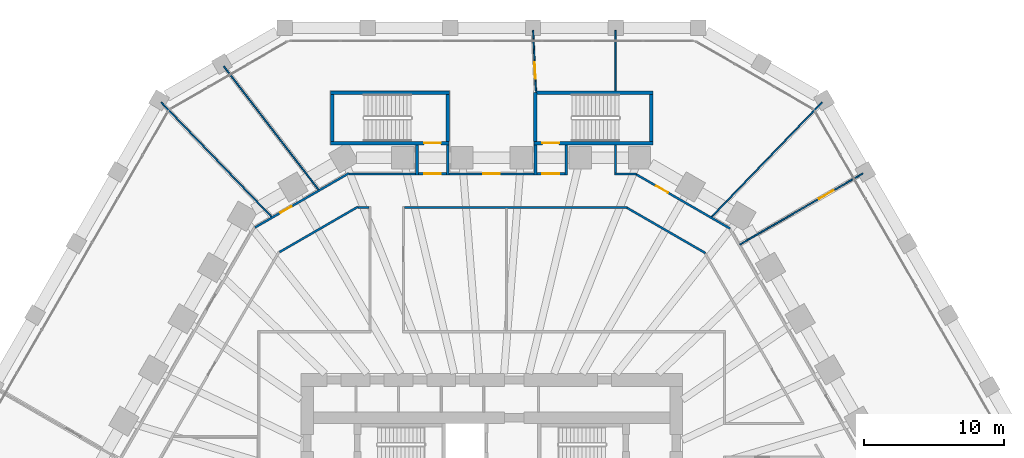
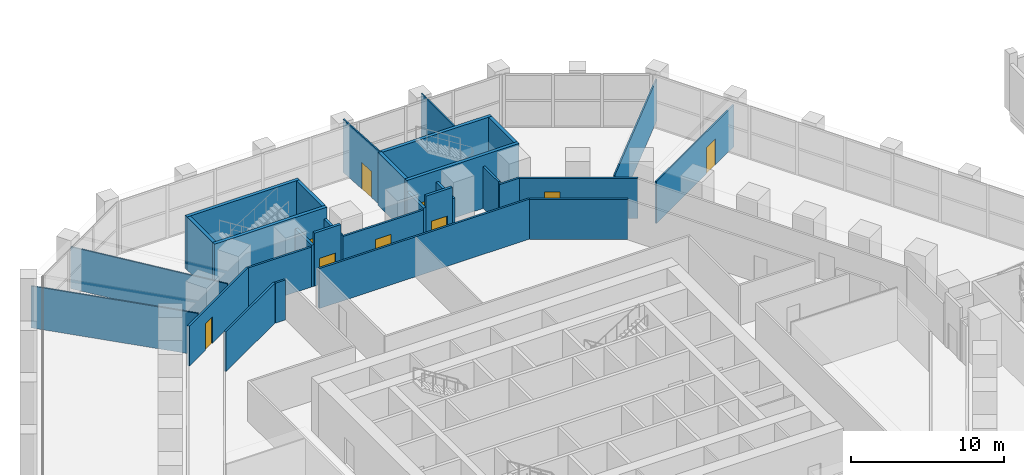
# One storey, part 26 of 38: 30 walls, 9 doors, 9 openings.
"""IFC4 building model written with IfcOpenShell, lengths in metres."""

import ifcopenshell
import ifcopenshell.guid

model = None  # the IFC model being written
_history = None  # IfcOwnerHistory: only IFC2X3 demands one
_inside = {}  # id of a spatial element -> (the spatial element, [elements in it])
_under = {}  # id of a project, library or spatial element -> (it, [spatial elements below it])
_declared = {}  # id of a project -> (the project, [libraries it declares])
_typed = {}  # id of a type object -> (the type object, [elements of that type])
_made_of = {}  # id of a material, layer set ... -> (it, [elements and type objects made of it])


def new_model(schema):
    """Start an empty IFC model of exactly this schema.

    Asked for "IFC4X3", IfcOpenShell would pick the latest addendum, in which some entities
    have other attributes; the version numbers below select the first issue.
    IFC2X3 requires an IfcOwnerHistory on every rooted entity: one is made here for all.
    """
    global model, _history
    if schema == "IFC4X3":
        model = ifcopenshell.file(schema_version=(4, 3, 0, 0))
    else:
        model = ifcopenshell.file(schema=schema)
    _inside.clear()
    _under.clear()
    _declared.clear()
    _typed.clear()
    _made_of.clear()
    _history = None
    if model.schema == "IFC2X3":
        org = make("IfcOrganization", Name="unknown")
        user = make(
            "IfcPersonAndOrganization",
            ThePerson=make("IfcPerson", FamilyName="unknown"),
            TheOrganization=org,
        )
        app = make(
            "IfcApplication",
            ApplicationDeveloper=org,
            Version="unknown",
            ApplicationFullName="unknown",
            ApplicationIdentifier="unknown",
        )
        _history = make(
            "IfcOwnerHistory",
            OwningUser=user,
            OwningApplication=app,
            ChangeAction="ADDED",
            CreationDate=0,
        )
    return model


def make(cls, **values):
    """One entity of the class cls with the attributes given. An attribute that is None is left unset."""
    return model.create_entity(
        cls, **{name: value for name, value in values.items() if value is not None}
    )


def rooted(cls, **values):
    """An entity with a GlobalId (a new one), such as an element, a storey or a relation."""
    return make(cls, GlobalId=ifcopenshell.guid.new(), OwnerHistory=_history, **values)


def si_unit(unit_type, name, prefix=None):
    """IfcSIUnit, for example si_unit("LENGTHUNIT", "METRE", prefix="MILLI")."""
    return make("IfcSIUnit", UnitType=unit_type, Prefix=prefix, Name=name)


def assignment(units):
    """IfcUnitAssignment: the units of a project."""
    return None if units is None else make("IfcUnitAssignment", Units=units)


def point(xyz):
    """IfcCartesianPoint."""
    return None if xyz is None else make("IfcCartesianPoint", Coordinates=xyz)


def direction(xyz):
    """IfcDirection."""
    return None if xyz is None else make("IfcDirection", DirectionRatios=xyz)


def frame(location, z_axis=None, x_axis=None):
    """IfcAxis2Placement3D, a coordinate frame: its origin and axes. An axis left out is left unset."""
    return make(
        "IfcAxis2Placement3D",
        Location=point(location),
        Axis=direction(z_axis),
        RefDirection=direction(x_axis),
    )


def frame_2d(location, x_axis=None):
    """IfcAxis2Placement2D, a coordinate frame in the plane: its origin and x axis."""
    return make(
        "IfcAxis2Placement2D", Location=point(location), RefDirection=direction(x_axis)
    )


def origin():
    """The frame at (0, 0, 0) with its axes left unset."""
    return frame((0.0, 0.0, 0.0))


def place(relative_to, where):
    """IfcLocalPlacement: puts the frame where relative to a parent placement (None: the world)."""
    return make(
        "IfcLocalPlacement", PlacementRelTo=relative_to, RelativePlacement=where
    )


def context(
    kind, dimensions, precision=None, world=None, true_north=None, identifier=None
):
    """IfcGeometricRepresentationContext, for example the 3D "Model" context."""
    return make(
        "IfcGeometricRepresentationContext",
        ContextIdentifier=identifier,
        ContextType=kind,
        CoordinateSpaceDimension=dimensions,
        Precision=precision,
        WorldCoordinateSystem=world,
        TrueNorth=true_north,
    )


def subcontext(parent, identifier, kind, view, scale=None):
    """IfcGeometricRepresentationSubContext, for example "Body" below "Model"."""
    return make(
        "IfcGeometricRepresentationSubContext",
        ContextIdentifier=identifier,
        ContextType=kind,
        ParentContext=parent,
        TargetScale=scale,
        TargetView=view,
    )


def project(units=None, contexts=None):
    """IfcProject with its units and contexts."""
    return rooted(
        "IfcProject",
        Name="project",
        RepresentationContexts=contexts,
        UnitsInContext=assignment(units),
    )


def spatial(cls, under=None, at=None, **own):
    """A site, building, storey or space (cls), placed at a placement, below another one or the project."""
    s = rooted(cls, ObjectPlacement=at, **own)
    if under is not None:
        _under.setdefault(under.id(), (under, []))[1].append(s)
    return s


def profile(cls, at=None, kind="AREA", **sizes):
    """A parametric profile (cls). Its sizes go by their IFC names, for example OverallWidth=200.0."""
    return make(cls, ProfileType=kind, Position=at, **sizes)


def rectangle(**sizes):
    """IfcRectangleProfileDef."""
    return profile("IfcRectangleProfileDef", **sizes)


def extrude(swept, where, along, depth):
    """IfcExtrudedAreaSolid: the profile swept, set in the frame where, extruded along a direction by depth."""
    return make(
        "IfcExtrudedAreaSolid",
        SweptArea=swept,
        Position=where,
        ExtrudedDirection=direction(along),
        Depth=depth,
    )


def shape(context_of_items, identifier, shape_type, items):
    """IfcShapeRepresentation: the items that make up one representation, for example the "Body"."""
    return make(
        "IfcShapeRepresentation",
        ContextOfItems=context_of_items,
        RepresentationIdentifier=identifier,
        RepresentationType=shape_type,
        Items=items,
    )


def material(Name=None, Category=None):
    """IfcMaterial."""
    return make("IfcMaterial", Name=Name, Category=Category)


def layer(
    of_material, thickness, ventilated=None, Name=None, Category=None, Priority=None
):
    """IfcMaterialLayer: one layer of a wall or slab, of a material (None: an air gap)."""
    return make(
        "IfcMaterialLayer",
        Material=of_material,
        LayerThickness=thickness,
        IsVentilated=ventilated,
        Name=Name,
        Category=Category,
        Priority=Priority,
    )


def layer_set(layers, Name=None):
    """IfcMaterialLayerSet."""
    return make("IfcMaterialLayerSet", MaterialLayers=layers, LayerSetName=Name)


def made_of(thing, what):
    """Note that an element or type object is made of a material, layer set ...; save() writes the relation."""
    if what is not None:
        _made_of.setdefault(what.id(), (what, []))[1].append(thing)
    return thing


def type_object(cls, material=None, **own):
    """A type object (cls), such as IfcWallType, which elements share."""
    return made_of(rooted(cls, **own), material)


def element(
    cls,
    number,
    at=None,
    inside=None,
    cuts=None,
    type_object=None,
    material=None,
    context=None,
    identifier="Body",
    shape_type=None,
    held_by="IfcProductDefinitionShape",
    body=None,
    shapes=None,
    **own,
):
    """One element of the class cls, such as IfcWall. Its Tag is "e" and its number.

    at: its placement. inside: the storey or other place that contains it. cuts: it is an
    opening in that element (IfcRelVoidsElement). A single representation is given by context,
    identifier, shape_type and body (its items); several are given by shapes. held_by: the class
    of the entity that holds the representations. save() writes the other relations.
    """
    e = rooted(cls, Tag="e%d" % number, ObjectPlacement=at, **own)
    if body is not None:
        shapes = [shape(context, identifier, shape_type, body)]
    if shapes is not None:
        e.Representation = make(held_by, Representations=shapes)
    if inside is not None:
        _inside.setdefault(inside.id(), (inside, []))[1].append(e)
    if cuts is not None:
        rooted(
            "IfcRelVoidsElement", RelatingBuildingElement=cuts, RelatedOpeningElement=e
        )
    if type_object is not None:
        _typed.setdefault(type_object.id(), (type_object, []))[1].append(e)
    return made_of(e, material)


def fill(opening, filler):
    """IfcRelFillsElement: the door or window that sits in an opening."""
    return rooted(
        "IfcRelFillsElement",
        RelatingOpeningElement=opening,
        RelatedBuildingElement=filler,
    )


def aggregate(whole, parts):
    """IfcRelAggregates: a whole, such as a stair, and the parts it consists of."""
    return rooted("IfcRelAggregates", RelatingObject=whole, RelatedObjects=parts)


def save(model, path):
    """Write the relations noted so far, then the file.

    IfcRelAggregates (storeys below a building ...), IfcRelContainedInSpatialStructure (elements
    in a storey), IfcRelDefinesByType, IfcRelAssociatesMaterial and IfcRelDeclares: one each for
    every whole, place, type object, material and project.
    """
    for whole, parts in _under.values():
        aggregate(whole, parts)
    for where, things in _inside.values():
        rooted(
            "IfcRelContainedInSpatialStructure",
            RelatedElements=things,
            RelatingStructure=where,
        )
    for kind, things in _typed.values():
        rooted("IfcRelDefinesByType", RelatedObjects=things, RelatingType=kind)
    for what, things in _made_of.values():
        rooted("IfcRelAssociatesMaterial", RelatedObjects=things, RelatingMaterial=what)
    for by, libraries in _declared.values():
        rooted("IfcRelDeclares", RelatingContext=by, RelatedDefinitions=libraries)
    model.write(path)


model = new_model("IFC4")

# Units and contexts
model_context = context("Model", 3, precision=1e-05, world=origin(), true_north=direction((0.0, 1.0)))
body_context = subcontext(model_context, "Body", "Model", "MODEL_VIEW")
ifc_project = project(units=[si_unit("LENGTHUNIT", "METRE"), si_unit("AREAUNIT", "SQUARE_METRE"), si_unit("VOLUMEUNIT", "CUBIC_METRE"), si_unit("PLANEANGLEUNIT", "RADIAN"), si_unit("MASSUNIT", "GRAM", prefix="KILO")], contexts=[model_context])

# Site, building, storey
site_placement = place(None, origin())
site = spatial("IfcSite", under=ifc_project, at=site_placement, CompositionType="ELEMENT")
building_placement = place(site_placement, origin())
building = spatial("IfcBuilding", under=site, at=building_placement, Name="Frailejon Research Tower", CompositionType="ELEMENT")
storey_placement = place(building_placement, frame((0.0, 0.0, 5.60009765625)))
storey = spatial("IfcBuildingStorey", under=building, at=storey_placement, Name="L01", CompositionType="ELEMENT", Elevation=5.60009765625)

# Wall, opening, door
ifc_material_1 = material(Name="Gypsum board and masonry partition", Category="masonry")
ifc_layer_1 = layer(ifc_material_1, 0.14990234375)
ifc_layer_set_1 = layer_set([ifc_layer_1], Name="Corridor wall EI 60, gypsum on steel studs 150")
wall_type_1 = type_object("IfcWallType", Name="Corridor wall EI 60, gypsum on steel studs 150", PredefinedType="PARTITIONING", material=ifc_layer_set_1)
wall_1_placement = place(storey_placement, frame((10.336669921875, 25.512451171875, 0.0), z_axis=(0.0, 0.0, 1.0), x_axis=(0.866023143435, -0.50000391502, 0.0)))
wall_1 = element("IfcWall", 1, at=wall_1_placement, inside=storey, type_object=wall_type_1, Name="T:IW:L01:009", PredefinedType="PARTITIONING", context=body_context, shape_type="SweptSolid", body=[
    extrude(rectangle(XDim=7.7587890625, YDim=0.14990234375, at=frame_2d((3.87939453125, 0.0))), origin(), (0.0, 0.0, 1.0), 3.199951171875),
])
opening_1_placement = place(wall_1_placement, frame((1.642578125, 0.0, 0.0)))
opening_1 = element("IfcOpeningElement", 2, at=opening_1_placement, cuts=wall_1, Name="Opening D1034", PredefinedType="OPENING", context=body_context, shape_type="SweptSolid", body=[
    extrude(rectangle(XDim=1.0, YDim=2.10009765625, at=frame_2d((0.5, 1.050048828125))), frame((0.0, 0.0849609375, 0.0), z_axis=(0.0, -1.0, 0.0), x_axis=(1.0, 0.0, 0.0)), (0.0, 0.0, 1.0), 0.169921875),
])
ifc_material_2 = material(Name="Timber door leaf", Category="wood")
door_type_1 = type_object("IfcDoorType", Name="Door single leaf, timber, steel frame 1000", OperationType="NOTDEFINED", PredefinedType="DOOR", material=ifc_material_2)
door_1_placement = place(opening_1_placement, origin())
door_1 = element("IfcDoor", 3, at=door_1_placement, inside=storey, type_object=door_type_1, Name="D1034", OperationType="SINGLE_SWING_LEFT", OverallHeight=2.10009765625, OverallWidth=1.0, PredefinedType="DOOR", context=body_context, shape_type="SweptSolid", body=[
    extrude(rectangle(XDim=1.0, YDim=2.10009765625, at=frame_2d((0.5, 1.050048828125))), frame((0.0, 0.02490234375, 0.0), z_axis=(0.0, -1.0, 0.0), x_axis=(1.0, 0.0, 0.0)), (0.0, 0.0, 1.0), 0.050048828125),
])
fill(opening_1, door_1)

# Walls
wall_2_placement = place(storey_placement, frame((9.693603515625, 23.112548828125, 0.0), z_axis=(0.0, 0.0, 1.0), x_axis=(0.866024786089, -0.500001069878, 0.0)))
element("IfcWall", 4, at=wall_2_placement, inside=storey, type_object=wall_type_1, Name="T:IW:L01:010", PredefinedType="PARTITIONING", context=body_context, shape_type="SweptSolid", body=[
    extrude(rectangle(XDim=6.47265625, YDim=0.14990234375, at=frame_2d((3.236328125, 0.0))), origin(), (0.0, 0.0, 1.0), 3.199951171875),
])
wall_3_placement = place(storey_placement, frame((-9.5537109375, 23.14990234375, 0.0), z_axis=(0.0, 0.0, 1.0), x_axis=(1.0, 0.0, 0.0)))
element("IfcWall", 5, at=wall_3_placement, inside=storey, type_object=wall_type_1, Name="T:IW:L01:011", PredefinedType="PARTITIONING", context=body_context, shape_type="SweptSolid", body=[
    extrude(rectangle(XDim=0.77880859375, YDim=0.14990234375, at=frame_2d((0.389404296875, 0.0))), origin(), (0.0, 0.0, 1.0), 3.199951171875),
])
wall_4_placement = place(storey_placement, frame((-6.22509765625, 23.14990234375, 0.0), z_axis=(0.0, 0.0, 1.0), x_axis=(1.0, 0.0, 0.0)))
element("IfcWall", 6, at=wall_4_placement, inside=storey, type_object=wall_type_1, Name="T:IW:L01:012", PredefinedType="PARTITIONING", context=body_context, shape_type="SweptSolid", body=[
    extrude(rectangle(XDim=15.9287109375, YDim=0.14990234375, at=frame_2d((7.96435546875, 0.0))), origin(), (0.0, 0.0, 1.0), 3.199951171875),
])
wall_5_placement = place(storey_placement, frame((8.870849609375, 25.625, 0.0), z_axis=(0.0, 0.0, 1.0), x_axis=(0.0, 1.0, 0.0)))
element("IfcWall", 7, at=wall_5_placement, inside=storey, type_object=wall_type_1, Name="T:IW:L01:014", PredefinedType="PARTITIONING", context=body_context, shape_type="SweptSolid", body=[
    extrude(rectangle(XDim=2.0, YDim=0.14990234375, at=frame_2d((1.0, 0.0))), origin(), (0.0, 0.0, 1.0), 3.349853515625),
])
wall_6_placement = place(storey_placement, frame((-10.19677734375, 25.550048828125, 0.0), z_axis=(0.0, 0.0, 1.0), x_axis=(1.0, 0.0, 0.0)))
element("IfcWall", 8, at=wall_6_placement, inside=storey, type_object=wall_type_1, Name="T:IW:L01:015", PredefinedType="PARTITIONING", context=body_context, shape_type="SweptSolid", body=[
    extrude(rectangle(XDim=4.764892578125, YDim=0.14990234375, at=frame_2d((2.38232421875, 0.0))), origin(), (0.0, 0.0, 1.0), 3.199951171875),
])

# Wall, opening, door
wall_7_placement = place(storey_placement, frame((-3.031982421875, 25.550048828125, 0.0), z_axis=(0.0, 0.0, 1.0), x_axis=(1.0, 0.0, 0.0)))
wall_7 = element("IfcWall", 9, at=wall_7_placement, inside=storey, type_object=wall_type_1, Name="T:IW:L01:016", PredefinedType="PARTITIONING", context=body_context, shape_type="SweptSolid", body=[
    extrude(rectangle(XDim=6.06396484375, YDim=0.14990234375, at=frame_2d((3.031982421875, 0.0))), origin(), (0.0, 0.0, 1.0), 3.199951171875),
])
opening_2_placement = place(wall_7_placement, frame((2.431884765625, 0.0, 0.0)))
opening_2 = element("IfcOpeningElement", 10, at=opening_2_placement, cuts=wall_7, Name="Opening D1037", PredefinedType="OPENING", context=body_context, shape_type="SweptSolid", body=[
    extrude(rectangle(XDim=1.199951171875, YDim=2.10009765625, at=frame_2d((0.60009765625, 1.050048828125))), frame((0.0, 0.0849609375, 0.0), z_axis=(0.0, -1.0, 0.0), x_axis=(1.0, 0.0, 0.0)), (0.0, 0.0, 1.0), 0.169921875),
])
ifc_material_3 = material(Name="Timber door leaf", Category="wood")
door_type_2 = type_object("IfcDoorType", Name="Door single leaf, timber, steel frame 1200", OperationType="NOTDEFINED", PredefinedType="DOOR", material=ifc_material_3)
door_2_placement = place(opening_2_placement, origin())
door_2 = element("IfcDoor", 11, at=door_2_placement, inside=storey, type_object=door_type_2, Name="D1037", OperationType="DOUBLE_DOOR_SINGLE_SWING", OverallHeight=2.10009765625, OverallWidth=1.199951171875, PredefinedType="DOOR", context=body_context, shape_type="SweptSolid", body=[
    extrude(rectangle(XDim=1.199951171875, YDim=2.10009765625, at=frame_2d((0.60009765625, 1.050048828125))), frame((0.0, 0.02490234375, 0.0), z_axis=(0.0, -1.0, 0.0), x_axis=(1.0, 0.0, 0.0)), (0.0, 0.0, 1.0), 0.050048828125),
])
fill(opening_2, door_2)

# Wall
wall_8_placement = place(storey_placement, frame((8.7958984375, 25.550048828125, 0.0), z_axis=(0.0, 0.0, 1.0), x_axis=(1.0, 0.0, 0.0)))
element("IfcWall", 12, at=wall_8_placement, inside=storey, type_object=wall_type_1, Name="T:IW:L01:017", PredefinedType="PARTITIONING", context=body_context, shape_type="SweptSolid", body=[
    extrude(rectangle(XDim=1.55078125, YDim=0.14990234375, at=frame_2d((0.775390625, 0.0))), origin(), (0.0, 0.0, 1.0), 3.199951171875),
])

# Wall, opening, door
wall_9_placement = place(storey_placement, frame((-16.926025390625, 21.7080078125, 0.0), z_axis=(0.0, 0.0, 1.0), x_axis=(0.866023143435, 0.50000391502, 0.0)))
wall_9 = element("IfcWall", 13, at=wall_9_placement, inside=storey, type_object=wall_type_1, Name="T:IW:L01:018", PredefinedType="PARTITIONING", context=body_context, shape_type="SweptSolid", body=[
    extrude(rectangle(XDim=7.7587890625, YDim=0.14990234375, at=frame_2d((3.87939453125, 0.0))), origin(), (0.0, 0.0, 1.0), 3.199951171875),
])
opening_3_placement = place(wall_9_placement, frame((2.116943359375, 0.0, 0.0)))
opening_3 = element("IfcOpeningElement", 14, at=opening_3_placement, cuts=wall_9, Name="Opening D1038", PredefinedType="OPENING", context=body_context, shape_type="SweptSolid", body=[
    extrude(rectangle(XDim=0.89990234375, YDim=2.10009765625, at=frame_2d((0.449951171875, 1.050048828125))), frame((0.0, 0.0849609375, 0.0), z_axis=(0.0, -1.0, 0.0), x_axis=(1.0, 0.0, 0.0)), (0.0, 0.0, 1.0), 0.169921875),
])
ifc_material_4 = material(Name="Timber door leaf", Category="wood")
door_type_3 = type_object("IfcDoorType", Name="Door single leaf, timber, steel frame 900", OperationType="NOTDEFINED", PredefinedType="DOOR", material=ifc_material_4)
door_3_placement = place(opening_3_placement, origin())
door_3 = element("IfcDoor", 15, at=door_3_placement, inside=storey, type_object=door_type_3, Name="D1038", OperationType="SINGLE_SWING_RIGHT", OverallHeight=2.10009765625, OverallWidth=0.89990234375, PredefinedType="DOOR", context=body_context, shape_type="SweptSolid", body=[
    extrude(rectangle(XDim=0.89990234375, YDim=2.10009765625, at=frame_2d((0.449951171875, 1.050048828125))), frame((0.0, 0.02490234375, 0.0), z_axis=(0.0, -1.0, 0.0), x_axis=(1.0, 0.0, 0.0)), (0.0, 0.0, 1.0), 0.050048828125),
])
fill(opening_3, door_3)

# Wall
wall_10_placement = place(storey_placement, frame((-15.169189453125, 19.951171875, 0.0), z_axis=(0.0, 0.0, 1.0), x_axis=(0.866024786089, 0.500001069878, 0.0)))
element("IfcWall", 16, at=wall_10_placement, inside=storey, type_object=wall_type_1, Name="T:IW:L01:019", PredefinedType="PARTITIONING", context=body_context, shape_type="SweptSolid", body=[
    extrude(rectangle(XDim=6.47265625, YDim=0.14990234375, at=frame_2d((3.236328125, 0.0))), origin(), (0.0, 0.0, 1.0), 3.199951171875),
])

# Wall, opening, door
ifc_material_5 = material(Name="Gypsum board and masonry partition", Category="masonry")
ifc_layer_2 = layer(ifc_material_5, 0.199951171875)
ifc_layer_set_2 = layer_set([ifc_layer_2], Name="Enclosure wall EI 120, blockwork 200")
wall_type_2 = type_object("IfcWallType", Name="Enclosure wall EI 120, blockwork 200", PredefinedType="PARTITIONING", material=ifc_layer_set_2)
wall_11_placement = place(storey_placement, frame((-5.23193359375, 25.5498046875, 0.0), z_axis=(0.0, 0.0, 1.0), x_axis=(1.0, 0.0, 0.0)))
wall_11 = element("IfcWall", 17, at=wall_11_placement, inside=storey, type_object=wall_type_2, Name="T:IW:L01:052", PredefinedType="PARTITIONING", context=body_context, shape_type="SweptSolid", body=[
    extrude(rectangle(XDim=2.0, YDim=0.199951171875, at=frame_2d((1.0, 0.0))), origin(), (0.0, 0.0, 1.0), 4.25),
])
opening_4_placement = place(wall_11_placement, frame((0.39990234375, 0.0, 0.0)))
opening_4 = element("IfcOpeningElement", 18, at=opening_4_placement, cuts=wall_11, Name="Opening PSD16", PredefinedType="OPENING", context=body_context, shape_type="SweptSolid", body=[
    extrude(rectangle(XDim=1.199951171875, YDim=2.10009765625, at=frame_2d((0.60009765625, 1.050048828125))), frame((0.0, 0.10986328125, 0.0), z_axis=(0.0, -1.0, 0.0), x_axis=(1.0, 0.0, 0.0)), (0.0, 0.0, 1.0), 0.219970703125),
])
ifc_material_6 = material(Name="Steel door leaf", Category="steel")
door_type_4 = type_object("IfcDoorType", Name="Door exit passage, steel, fire rated 1200", OperationType="NOTDEFINED", PredefinedType="DOOR", material=ifc_material_6)
door_4_placement = place(opening_4_placement, origin())
door_4 = element("IfcDoor", 19, at=door_4_placement, inside=storey, type_object=door_type_4, Name="PSD16", OperationType="SINGLE_SWING_LEFT", OverallHeight=2.10009765625, OverallWidth=1.199951171875, PredefinedType="DOOR", context=body_context, shape_type="SweptSolid", body=[
    extrude(rectangle(XDim=1.199951171875, YDim=2.10009765625, at=frame_2d((0.60009765625, 1.050048828125))), frame((0.0, 0.02490234375, 0.0), z_axis=(0.0, -1.0, 0.0), x_axis=(1.0, 0.0, 0.0)), (0.0, 0.0, 1.0), 0.050048828125),
])
fill(opening_4, door_4)

wall_12_placement = place(storey_placement, frame((3.23193359375, 25.5498046875, 0.0), z_axis=(0.0, 0.0, 1.0), x_axis=(1.0, 0.0, 0.0)))
wall_12 = element("IfcWall", 20, at=wall_12_placement, inside=storey, type_object=wall_type_2, Name="T:IW:L01:053", PredefinedType="PARTITIONING", context=body_context, shape_type="SweptSolid", body=[
    extrude(rectangle(XDim=2.0, YDim=0.199951171875, at=frame_2d((1.0, 0.0))), origin(), (0.0, 0.0, 1.0), 4.25),
])
opening_5_placement = place(wall_12_placement, frame((0.39990234375, 0.0, 0.0)))
opening_5 = element("IfcOpeningElement", 21, at=opening_5_placement, cuts=wall_12, Name="Opening PSD18", PredefinedType="OPENING", context=body_context, shape_type="SweptSolid", body=[
    extrude(rectangle(XDim=1.199951171875, YDim=2.10009765625, at=frame_2d((0.60009765625, 1.050048828125))), frame((0.0, 0.10986328125, 0.0), z_axis=(0.0, -1.0, 0.0), x_axis=(1.0, 0.0, 0.0)), (0.0, 0.0, 1.0), 0.219970703125),
])
door_5_placement = place(opening_5_placement, origin())
door_5 = element("IfcDoor", 22, at=door_5_placement, inside=storey, type_object=door_type_4, Name="PSD18", OperationType="SINGLE_SWING_LEFT", OverallHeight=2.10009765625, OverallWidth=1.199951171875, PredefinedType="DOOR", context=body_context, shape_type="SweptSolid", body=[
    extrude(rectangle(XDim=1.199951171875, YDim=2.10009765625, at=frame_2d((0.60009765625, 1.050048828125))), frame((0.0, 0.02490234375, 0.0), z_axis=(0.0, -1.0, 0.0), x_axis=(1.0, 0.0, 0.0)), (0.0, 0.0, 1.0), 0.050048828125),
])
fill(opening_5, door_5)

# Walls
wall_13_placement = place(storey_placement, frame((5.33203125, 25.449951171875, 0.0), z_axis=(0.0, 0.0, 1.0), x_axis=(0.0, 1.0, 0.0)))
element("IfcWall", 23, at=wall_13_placement, inside=storey, type_object=wall_type_2, Name="T:IW:L01:055", PredefinedType="PARTITIONING", context=body_context, shape_type="SweptSolid", body=[
    extrude(rectangle(XDim=2.175048828125, YDim=0.199951171875, at=frame_2d((1.08740234375, 0.0))), origin(), (0.0, 0.0, 1.0), 3.349853515625),
])
for number, where, z_axis, x_axis, name in (
    (24, (-5.33203125, 25.47509765625, 0.0), (0.0, 0.0, 1.0), (0.0, 1.0, 0.0), "T:IW:L01:059"),
    (25, (-3.132080078125, 25.47509765625, 0.0), (0.0, 0.0, 1.0), (0.0, 1.0, 0.0), "T:IW:L01:063"),
    (26, (3.132080078125, 25.47509765625, 0.0), (0.0, 0.0, 1.0), (0.0, 1.0, 0.0), "T:IW:L01:065"),
):
    element("IfcWall", number, at=place(storey_placement, frame(where, z_axis=z_axis, x_axis=x_axis)), inside=storey, type_object=wall_type_2, Name=name, PredefinedType="PARTITIONING", context=body_context, shape_type="SweptSolid", body=[
        extrude(rectangle(XDim=2.14990234375, YDim=0.199951171875, at=frame_2d((1.074951171875, 0.0))), origin(), (0.0, 0.0, 1.0), 3.349853515625),
    ])

# Wall, opening, door
ifc_material_7 = material(Name="Gypsum board and masonry partition", Category="masonry")
ifc_layer_3 = layer(ifc_material_7, 0.10009765625)
ifc_layer_set_3 = layer_set([ifc_layer_3], Name="Partition, gypsum on steel studs 100")
wall_type_3 = type_object("IfcWallType", Name="Partition, gypsum on steel studs 100", PredefinedType="PARTITIONING", material=ifc_layer_set_3)
wall_14_placement = place(storey_placement, frame((17.756591796875, 20.494873046875, 0.0), z_axis=(0.0, 0.0, 1.0), x_axis=(0.866028554658, 0.499994542487, 0.0)))
wall_14 = element("IfcWall", 27, at=wall_14_placement, inside=storey, type_object=wall_type_3, Name="T:IW:L01:069", PredefinedType="PARTITIONING", context=body_context, shape_type="SweptSolid", body=[
    extrude(rectangle(XDim=10.1748046875, YDim=0.10009765625, at=frame_2d((5.08740234375, 0.0))), origin(), (0.0, 0.0, 1.0), 3.349853515625),
])
opening_6_placement = place(wall_14_placement, frame((6.53759765625, 0.0, 0.0)))
opening_6 = element("IfcOpeningElement", 28, at=opening_6_placement, cuts=wall_14, Name="Opening D1032", PredefinedType="OPENING", context=body_context, shape_type="SweptSolid", body=[
    extrude(rectangle(XDim=1.199951171875, YDim=2.10009765625, at=frame_2d((0.60009765625, 1.050048828125))), frame((0.0, 0.06005859375, 0.0), z_axis=(0.0, -1.0, 0.0), x_axis=(1.0, 0.0, 0.0)), (0.0, 0.0, 1.0), 0.1201171875),
])
door_6_placement = place(opening_6_placement, origin())
door_6 = element("IfcDoor", 29, at=door_6_placement, inside=storey, type_object=door_type_2, Name="D1032", OperationType="DOUBLE_DOOR_SINGLE_SWING", OverallHeight=2.10009765625, OverallWidth=1.199951171875, PredefinedType="DOOR", context=body_context, shape_type="SweptSolid", body=[
    extrude(rectangle(XDim=1.199951171875, YDim=2.10009765625, at=frame_2d((0.60009765625, 1.050048828125))), frame((0.0, 0.02490234375, 0.0), z_axis=(0.0, -1.0, 0.0), x_axis=(1.0, 0.0, 0.0)), (0.0, 0.0, 1.0), 0.050048828125),
])
fill(opening_6, door_6)

# Walls
wall_15_placement = place(storey_placement, frame((15.744140625, 22.474609375, 0.0), z_axis=(0.0, 0.0, 1.0), x_axis=(0.694530893364, 0.719462881713, 0.0)))
element("IfcWall", 30, at=wall_15_placement, inside=storey, type_object=wall_type_3, Name="T:IW:L01:071", PredefinedType="PARTITIONING", context=body_context, shape_type="SweptSolid", body=[
    extrude(rectangle(XDim=11.368896484375, YDim=0.10009765625, at=frame_2d((5.6845703125, 0.0))), origin(), (0.0, 0.0, 1.0), 3.349853515625),
])
wall_16_placement = place(storey_placement, frame((8.870849609375, 31.47509765625, 0.0), z_axis=(0.0, 0.0, 1.0), x_axis=(0.0, 1.0, 0.0)))
element("IfcWall", 31, at=wall_16_placement, inside=storey, type_object=wall_type_3, Name="T:IW:L01:074", PredefinedType="PARTITIONING", context=body_context, shape_type="SweptSolid", body=[
    extrude(rectangle(XDim=4.324951171875, YDim=0.10009765625, at=frame_2d((2.16259765625, 0.0))), origin(), (0.0, 0.0, 1.0), 4.25),
])

# Wall, opening, door
wall_17_placement = place(storey_placement, frame((2.966552734375, 35.800048828125, 0.0), z_axis=(0.0, 0.0, 1.0), x_axis=(0.047755341285, -0.998859062821, 0.0)))
wall_17 = element("IfcWall", 32, at=wall_17_placement, inside=storey, type_object=wall_type_3, Name="T:IW:L01:075", PredefinedType="PARTITIONING", context=body_context, shape_type="SweptSolid", body=[
    extrude(rectangle(XDim=4.330078125, YDim=0.10009765625, at=frame_2d((2.1650390625, 0.0))), origin(), (0.0, 0.0, 1.0), 4.25),
])
opening_7_placement = place(wall_17_placement, frame((2.266357421875, 0.0, 0.0)))
opening_7 = element("IfcOpeningElement", 33, at=opening_7_placement, cuts=wall_17, Name="Opening D1035", PredefinedType="OPENING", context=body_context, shape_type="SweptSolid", body=[
    extrude(rectangle(XDim=1.199951171875, YDim=2.10009765625, at=frame_2d((0.60009765625, 1.050048828125))), frame((0.0, 0.06005859375, 0.0), z_axis=(0.0, -1.0, 0.0), x_axis=(1.0, 0.0, 0.0)), (0.0, 0.0, 1.0), 0.1201171875),
])
door_7_placement = place(opening_7_placement, origin())
door_7 = element("IfcDoor", 34, at=door_7_placement, inside=storey, type_object=door_type_2, Name="D1035", OperationType="DOUBLE_DOOR_SINGLE_SWING", OverallHeight=2.10009765625, OverallWidth=1.199951171875, PredefinedType="DOOR", context=body_context, shape_type="SweptSolid", body=[
    extrude(rectangle(XDim=1.199951171875, YDim=2.10009765625, at=frame_2d((0.60009765625, 1.050048828125))), frame((0.0, 0.02490234375, 0.0), z_axis=(0.0, -1.0, 0.0), x_axis=(1.0, 0.0, 0.0)), (0.0, 0.0, 1.0), 0.050048828125),
])
fill(opening_7, door_7)

# Walls
wall_18_placement = place(storey_placement, frame((-19.16162109375, 33.241943359375, 0.0), z_axis=(0.0, 0.0, 1.0), x_axis=(0.609546416877, -0.79275038043, 0.0)))
element("IfcWall", 35, at=wall_18_placement, inside=storey, type_object=wall_type_3, Name="T:IW:L01:076", PredefinedType="PARTITIONING", context=body_context, shape_type="SweptSolid", body=[
    extrude(rectangle(XDim=11.128662109375, YDim=0.10009765625, at=frame_2d((5.564453125, 0.0))), origin(), (0.0, 0.0, 1.0), 3.349853515625),
])
wall_19_placement = place(storey_placement, frame((-23.64013671875, 30.654052734375, 0.0), z_axis=(0.0, 0.0, 1.0), x_axis=(0.694530893364, -0.719462881713, 0.0)))
element("IfcWall", 36, at=wall_19_placement, inside=storey, type_object=wall_type_3, Name="T:IW:L01:077", PredefinedType="PARTITIONING", context=body_context, shape_type="SweptSolid", body=[
    extrude(rectangle(XDim=11.368896484375, YDim=0.10009765625, at=frame_2d((5.6845703125, 0.0))), origin(), (0.0, 0.0, 1.0), 3.349853515625),
])

# Wall, opening, door
ifc_material_8 = material(Name="Concrete C50/60", Category="concrete")
ifc_layer_4 = layer(ifc_material_8, 0.25)
ifc_layer_set_4 = layer_set([ifc_layer_4], Name="Stair enclosure wall EI 120, Concrete C50/60 250")
wall_type_4 = type_object("IfcWallType", Name="Stair enclosure wall EI 120, Concrete C50/60 250", PredefinedType="SOLIDWALL", material=ifc_layer_set_4)
wall_20_placement = place(storey_placement, frame((-11.52685546875, 27.75, 0.0), z_axis=(0.0, 0.0, 1.0), x_axis=(1.0, 0.0, 0.0)))
wall_20 = element("IfcWall", 37, at=wall_20_placement, inside=storey, type_object=wall_type_4, Name="T:IW:L01:088", PredefinedType="SOLIDWALL", context=body_context, shape_type="SweptSolid", body=[
    extrude(rectangle(XDim=8.494873046875, YDim=0.25, at=frame_2d((4.24755859375, 0.0))), origin(), (0.0, 0.0, 1.0), 4.25),
])
opening_8_placement = place(wall_20_placement, frame((6.695068359375, 0.0, 0.0)))
opening_8 = element("IfcOpeningElement", 38, at=opening_8_placement, cuts=wall_20, Name="Opening PSD17", PredefinedType="OPENING", context=body_context, shape_type="SweptSolid", body=[
    extrude(rectangle(XDim=1.199951171875, YDim=2.10009765625, at=frame_2d((0.60009765625, 1.050048828125))), frame((0.0, 0.135009765625, 0.0), z_axis=(0.0, -1.0, 0.0), x_axis=(1.0, 0.0, 0.0)), (0.0, 0.0, 1.0), 0.27001953125),
])
door_8_placement = place(opening_8_placement, origin())
door_8 = element("IfcDoor", 39, at=door_8_placement, inside=storey, type_object=door_type_4, Name="PSD17", OperationType="SINGLE_SWING_RIGHT", OverallHeight=2.10009765625, OverallWidth=1.199951171875, PredefinedType="DOOR", context=body_context, shape_type="SweptSolid", body=[
    extrude(rectangle(XDim=1.199951171875, YDim=2.10009765625, at=frame_2d((0.60009765625, 1.050048828125))), frame((0.0, 0.02490234375, 0.0), z_axis=(0.0, -1.0, 0.0), x_axis=(1.0, 0.0, 0.0)), (0.0, 0.0, 1.0), 0.050048828125),
])
fill(opening_8, door_8)

wall_21_placement = place(storey_placement, frame((3.031982421875, 27.75, 0.0), z_axis=(0.0, 0.0, 1.0), x_axis=(1.0, 0.0, 0.0)))
wall_21 = element("IfcWall", 40, at=wall_21_placement, inside=storey, type_object=wall_type_4, Name="T:IW:L01:089", PredefinedType="SOLIDWALL", context=body_context, shape_type="SweptSolid", body=[
    extrude(rectangle(XDim=8.494873046875, YDim=0.25, at=frame_2d((4.24755859375, 0.0))), origin(), (0.0, 0.0, 1.0), 4.25),
])
opening_9_placement = place(wall_21_placement, frame((0.60009765625, 0.0, 0.0)))
opening_9 = element("IfcOpeningElement", 41, at=opening_9_placement, cuts=wall_21, Name="Opening PSD19", PredefinedType="OPENING", context=body_context, shape_type="SweptSolid", body=[
    extrude(rectangle(XDim=1.199951171875, YDim=2.10009765625, at=frame_2d((0.60009765625, 1.050048828125))), frame((0.0, 0.135009765625, 0.0), z_axis=(0.0, -1.0, 0.0), x_axis=(1.0, 0.0, 0.0)), (0.0, 0.0, 1.0), 0.27001953125),
])
door_9_placement = place(opening_9_placement, origin())
door_9 = element("IfcDoor", 42, at=door_9_placement, inside=storey, type_object=door_type_4, Name="PSD19", OperationType="SINGLE_SWING_RIGHT", OverallHeight=2.10009765625, OverallWidth=1.199951171875, PredefinedType="DOOR", context=body_context, shape_type="SweptSolid", body=[
    extrude(rectangle(XDim=1.199951171875, YDim=2.10009765625, at=frame_2d((0.60009765625, 1.050048828125))), frame((0.0, 0.02490234375, 0.0), z_axis=(0.0, -1.0, 0.0), x_axis=(1.0, 0.0, 0.0)), (0.0, 0.0, 1.0), 0.050048828125),
])
fill(opening_9, door_9)

# Walls
wall_22_placement = place(storey_placement, frame((-11.40185546875, 27.875, 0.0), z_axis=(0.0, 0.0, 1.0), x_axis=(0.0, 1.0, 0.0)))
element("IfcWall", 43, at=wall_22_placement, inside=storey, type_object=wall_type_4, Name="T:IW:L01:091", PredefinedType="SOLIDWALL", context=body_context, shape_type="SweptSolid", body=[
    extrude(rectangle(XDim=3.35009765625, YDim=0.25, at=frame_2d((1.675048828125, 0.0))), origin(), (0.0, 0.0, 1.0), 4.25),
])
wall_23_placement = place(storey_placement, frame((-11.52685546875, 31.35009765625, 0.0), z_axis=(0.0, 0.0, 1.0), x_axis=(1.0, 0.0, 0.0)))
element("IfcWall", 44, at=wall_23_placement, inside=storey, type_object=wall_type_4, Name="T:IW:L01:092", PredefinedType="SOLIDWALL", context=body_context, shape_type="SweptSolid", body=[
    extrude(rectangle(XDim=8.519775390625, YDim=0.25, at=frame_2d((4.259765625, 0.0))), origin(), (0.0, 0.0, 1.0), 4.25),
])
wall_24_placement = place(storey_placement, frame((3.12939453125, 31.35009765625, 0.0), z_axis=(0.0, 0.0, 1.0), x_axis=(1.0, 0.0, 0.0)))
element("IfcWall", 45, at=wall_24_placement, inside=storey, type_object=wall_type_4, Name="T:IW:L01:093", PredefinedType="SOLIDWALL", context=body_context, shape_type="SweptSolid", body=[
    extrude(rectangle(XDim=8.3974609375, YDim=0.25, at=frame_2d((4.19873046875, 0.0))), origin(), (0.0, 0.0, 1.0), 4.25),
])
wall_25_placement = place(storey_placement, frame((-3.132080078125, 27.875, 0.0), z_axis=(0.0, 0.0, 1.0), x_axis=(0.0, 1.0, 0.0)))
element("IfcWall", 46, at=wall_25_placement, inside=storey, type_object=wall_type_4, Name="T:IW:L01:095", PredefinedType="SOLIDWALL", context=body_context, shape_type="SweptSolid", body=[
    extrude(rectangle(XDim=3.35009765625, YDim=0.25, at=frame_2d((1.675048828125, 0.0))), origin(), (0.0, 0.0, 1.0), 4.25),
])
wall_26_placement = place(storey_placement, frame((3.132080078125, 27.875, 0.0), z_axis=(0.0, 0.0, 1.0), x_axis=(0.0, 1.0, 0.0)))
element("IfcWall", 47, at=wall_26_placement, inside=storey, type_object=wall_type_4, Name="T:IW:L01:097", PredefinedType="SOLIDWALL", context=body_context, shape_type="SweptSolid", body=[
    extrude(rectangle(XDim=3.47509765625, YDim=0.25, at=frame_2d((1.737548828125, 0.0))), origin(), (0.0, 0.0, 1.0), 4.25),
])
wall_27_placement = place(storey_placement, frame((11.40185546875, 27.875, 0.0), z_axis=(0.0, 0.0, 1.0), x_axis=(0.0, 1.0, 0.0)))
element("IfcWall", 48, at=wall_27_placement, inside=storey, type_object=wall_type_4, Name="T:IW:L01:099", PredefinedType="SOLIDWALL", context=body_context, shape_type="SweptSolid", body=[
    extrude(rectangle(XDim=3.35009765625, YDim=0.25, at=frame_2d((1.675048828125, 0.0))), origin(), (0.0, 0.0, 1.0), 4.25),
])

save(model, "model.ifc")
